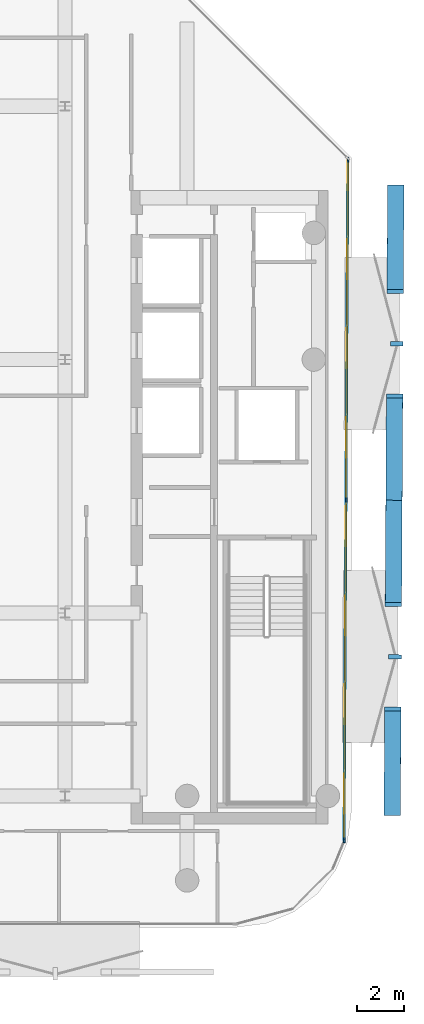
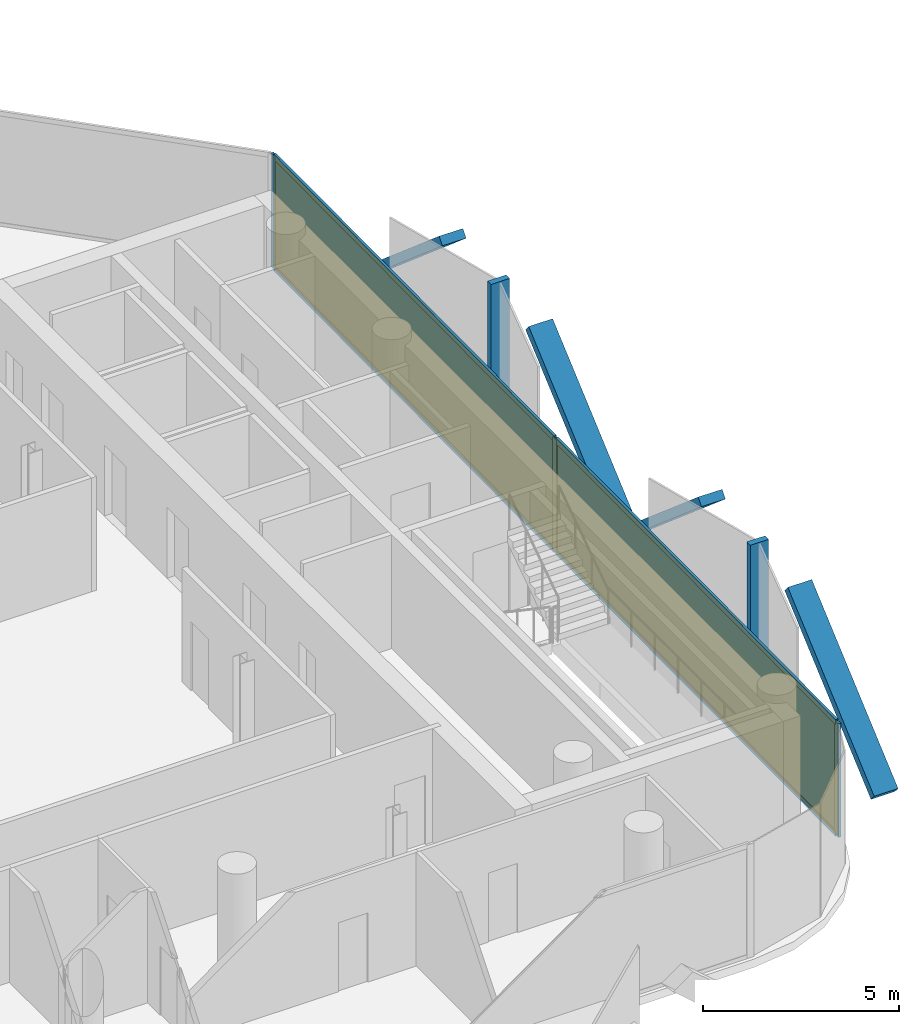
# One storey, part 10 of 16: 13 members, 2 plates, 1 curtain wall.
"""IFC4 building model written with IfcOpenShell, lengths in metres."""

from ifc_helpers import new_model, si_unit, direction, frame, frame_2d, origin, origin_2d, place, context, subcontext, project, spatial, rectangle, extrude, material, layer, layer_set, material_profile, profile_set, type_object, element, aggregate, save


model = new_model("IFC4")

# Units and contexts
model_context = context("Model", 3, precision=1e-05, world=origin(), true_north=direction((0.0, 1.0)))
body_context = subcontext(model_context, "Body", "Model", "MODEL_VIEW")
ifc_project = project(units=[si_unit("LENGTHUNIT", "METRE"), si_unit("AREAUNIT", "SQUARE_METRE"), si_unit("VOLUMEUNIT", "CUBIC_METRE"), si_unit("PLANEANGLEUNIT", "RADIAN"), si_unit("MASSUNIT", "GRAM", prefix="KILO")], contexts=[model_context])

# Member
ifc_material_1 = material(Name="Anodised Bronze Aluminium 6063-T6", Category="aluminium")
ifc_material_profile_1 = material_profile(ifc_material_1, rectangle(XDim=0.260009765625, YDim=0.699951171875, at=origin_2d()))
ifc_profile_set_1 = profile_set([ifc_material_profile_1], Name="Anodised Bronze Aluminium 6063-T6")
member_type_1 = type_object("IfcMemberType", Name="Bronze Diamond Solar-Screen Lattice Rib BDL-700", PredefinedType="MULLION", material=ifc_profile_set_1)
site_placement = place(None, origin())
building_placement = place(site_placement, origin())
storey_placement = place(building_placement, frame((0.0, 0.0, 311.800048828125)))
member_1_placement = place(storey_placement, frame((23.293212890625, 7.3505859375, -0.130126953125), z_axis=(-0.004256073087, -0.76037666529, 0.649468407795), x_axis=(-0.009220107291, -0.649416844223, -0.7603767172)))
member_1 = element("IfcMember", 1, at=member_1_placement, type_object=member_type_1, Name="L75 Bronze Diamond Solar Screen Lattice Rib 532A", PredefinedType="MULLION", context=body_context, shape_type="SweptSolid", body=[
    extrude(rectangle(XDim=0.260009765625, YDim=0.699951171875, at=origin_2d()), origin(), (0.0, 0.0, 1.0), 5.85107421875),
])

member_2_placement = place(storey_placement, frame((23.21826171875, -5.996337890625, -0.130126953125), z_axis=(0.004297798526, 0.760376529593, 0.649468291891), x_axis=(0.009255742703, 0.649416221401, -0.760376816196)))
member_2 = element("IfcMember", 2, at=member_2_placement, type_object=member_type_1, Name="L75 Bronze Diamond Solar Screen Lattice Rib 532B", PredefinedType="MULLION", context=body_context, shape_type="SweptSolid", body=[
    extrude(rectangle(XDim=0.260009765625, YDim=0.699951171875, at=origin_2d()), origin(), (0.0, 0.0, 1.0), 5.85107421875),
])

member_3_placement = place(storey_placement, frame((23.21826171875, -5.996337890625, -0.130126953125), z_axis=(-0.004256073087, -0.76037666529, 0.649468407795), x_axis=(-0.009220107291, -0.649416844223, -0.7603767172)))
member_3 = element("IfcMember", 3, at=member_3_placement, type_object=member_type_1, Name="L75 Bronze Diamond Solar Screen Lattice Rib 533A", PredefinedType="MULLION", context=body_context, shape_type="SweptSolid", body=[
    extrude(rectangle(XDim=0.260009765625, YDim=0.699951171875, at=origin_2d()), origin(), (0.0, 0.0, 1.0), 5.85107421875),
])

member_4_placement = place(storey_placement, frame((23.143310546875, -19.34326171875, -0.130126953125), z_axis=(0.004256073087, 0.76037666529, 0.649468407795), x_axis=(0.009220107291, 0.649416844223, -0.7603767172)))
member_4 = element("IfcMember", 4, at=member_4_placement, type_object=member_type_1, Name="L75 Bronze Diamond Solar Screen Lattice Rib 533B", PredefinedType="MULLION", context=body_context, shape_type="SweptSolid", body=[
    extrude(rectangle(XDim=0.260009765625, YDim=0.699951171875, at=origin_2d()), origin(), (0.0, 0.0, 1.0), 5.85107421875),
])

ifc_material_2 = material(Name="Anodised Bronze Aluminium 6063-T6", Category="aluminium")
ifc_material_profile_2 = material_profile(ifc_material_2, rectangle(XDim=0.179931640625, YDim=0.5400390625, at=origin_2d()))
ifc_profile_set_2 = profile_set([ifc_material_profile_2], Name="Anodised Bronze Aluminium 6063-T6")
member_type_2 = type_object("IfcMemberType", Name="Bronze Solar-Screen Vertical Fold Fin BSF-540", PredefinedType="MULLION", material=ifc_profile_set_2)
member_5_placement = place(storey_placement, frame((23.335693359375, 0.6767578125, -0.130126953125), z_axis=(0.0, 0.0, 1.0), x_axis=(-0.005585024571, -0.999984403629, 0.0)))
member_5 = element("IfcMember", 5, at=member_5_placement, type_object=member_type_2, Name="L75 Bronze Solar Screen Vertical Fin 532", PredefinedType="MULLION", context=body_context, shape_type="SweptSolid", body=[
    extrude(rectangle(XDim=0.179931640625, YDim=0.5400390625, at=origin_2d()), origin(), (0.0, 0.0, 1.0), 3.800048828125),
])

member_6_placement = place(storey_placement, frame((23.2607421875, -12.670166015625, -0.130126953125), z_axis=(0.0, 0.0, 1.0), x_axis=(-0.005585024571, -0.999984403629, 0.0)))
member_6 = element("IfcMember", 6, at=member_6_placement, type_object=member_type_2, Name="L75 Bronze Solar Screen Vertical Fin 533", PredefinedType="MULLION", context=body_context, shape_type="SweptSolid", body=[
    extrude(rectangle(XDim=0.179931640625, YDim=0.5400390625, at=origin_2d()), origin(), (0.0, 0.0, 1.0), 3.800048828125),
])

ifc_material_3 = material(Name="Anodised Bronze Aluminium 6063-T6", Category="aluminium")
ifc_material_profile_3 = material_profile(ifc_material_3, rectangle(XDim=0.074951171875, YDim=0.2099609375, at=origin_2d()))
ifc_profile_set_3 = profile_set([ifc_material_profile_3], Name="Anodised Bronze Aluminium 6063-T6")
member_type_3 = type_object("IfcMemberType", Name="CW-CRN Mullion 75x210", PredefinedType="MULLION", material=ifc_profile_set_3)
member_7_placement = place(storey_placement, frame((21.259765625, 8.5244140625, 0.0), z_axis=(0.0, 0.0, 1.0), x_axis=(0.999984228757, -0.005616247603, 0.0)))
member_7 = element("IfcMember", 7, at=member_7_placement, type_object=member_type_3, Name="CW-CRN mullion 1", PredefinedType="MULLION", context=body_context, shape_type="SweptSolid", body=[
    extrude(rectangle(XDim=0.074951171875, YDim=0.2099609375, at=origin_2d()), origin(), (0.0, 0.0, 1.0), 3.5400390625),
])

member_8_placement = place(storey_placement, frame((21.17822265625, -5.98486328125, 0.0), z_axis=(0.0, 0.0, 1.0), x_axis=(0.999984228757, -0.005616247603, 0.0)))
member_8 = element("IfcMember", 8, at=member_8_placement, type_object=member_type_3, Name="CW-CRN mullion 2", PredefinedType="MULLION", context=body_context, shape_type="SweptSolid", body=[
    extrude(rectangle(XDim=0.074951171875, YDim=0.2099609375, at=origin_2d()), origin(), (0.0, 0.0, 1.0), 3.5400390625),
])

member_9_placement = place(storey_placement, frame((21.096923828125, -20.494140625, 0.0), z_axis=(0.0, 0.0, 1.0), x_axis=(0.999984228757, -0.005616247603, 0.0)))
member_9 = element("IfcMember", 9, at=member_9_placement, type_object=member_type_3, Name="CW-CRN mullion 3", PredefinedType="MULLION", context=body_context, shape_type="SweptSolid", body=[
    extrude(rectangle(XDim=0.074951171875, YDim=0.2099609375, at=origin_2d()), origin(), (0.0, 0.0, 1.0), 3.5400390625),
])

ifc_material_4 = material(Name="Anodised Bronze Aluminium 6063-T6", Category="aluminium")
ifc_material_profile_4 = material_profile(ifc_material_4, rectangle(XDim=0.074951171875, YDim=0.1650390625, at=origin_2d()))
ifc_profile_set_4 = profile_set([ifc_material_profile_4], Name="Anodised Bronze Aluminium 6063-T6")
member_type_4 = type_object("IfcMemberType", Name="CW-CRN Transom 75x165", PredefinedType="USERDEFINED", material=ifc_profile_set_4)
member_10_placement = place(storey_placement, frame((21.259521484375, 8.487060546875, 0.037353515625), z_axis=(-0.005615323405, -0.999984233947, 0.0), x_axis=(0.999984233947, -0.005615323405, 0.0)))
member_10 = element("IfcMember", 10, at=member_10_placement, type_object=member_type_4, Name="CW-CRN transom 1.1", ObjectType="TRANSOM", PredefinedType="USERDEFINED", context=body_context, shape_type="SweptSolid", body=[
    extrude(rectangle(XDim=0.074951171875, YDim=0.1650390625, at=origin_2d()), origin(), (0.0, 0.0, 1.0), 14.4345703125),
])

member_11_placement = place(storey_placement, frame((21.259521484375, 8.487060546875, 3.50244140625), z_axis=(-0.005615323405, -0.999984233947, 0.0), x_axis=(0.999984233947, -0.005615323405, 0.0)))
member_11 = element("IfcMember", 11, at=member_11_placement, type_object=member_type_4, Name="CW-CRN transom 1.2", ObjectType="TRANSOM", PredefinedType="USERDEFINED", context=body_context, shape_type="SweptSolid", body=[
    extrude(rectangle(XDim=0.074951171875, YDim=0.1650390625, at=origin_2d()), origin(), (0.0, 0.0, 1.0), 14.4345703125),
])

member_12_placement = place(storey_placement, frame((21.177978515625, -6.0224609375, 0.037353515625), z_axis=(-0.005615323405, -0.999984233947, 0.0), x_axis=(0.999984233947, -0.005615323405, 0.0)))
member_12 = element("IfcMember", 12, at=member_12_placement, type_object=member_type_4, Name="CW-CRN transom 2.1", ObjectType="TRANSOM", PredefinedType="USERDEFINED", context=body_context, shape_type="SweptSolid", body=[
    extrude(rectangle(XDim=0.074951171875, YDim=0.1650390625, at=origin_2d()), origin(), (0.0, 0.0, 1.0), 14.4345703125),
])

member_13_placement = place(storey_placement, frame((21.177978515625, -6.0224609375, 3.50244140625), z_axis=(-0.005615323405, -0.999984233947, 0.0), x_axis=(0.999984233947, -0.005615323405, 0.0)))
member_13 = element("IfcMember", 13, at=member_13_placement, type_object=member_type_4, Name="CW-CRN transom 2.2", ObjectType="TRANSOM", PredefinedType="USERDEFINED", context=body_context, shape_type="SweptSolid", body=[
    extrude(rectangle(XDim=0.074951171875, YDim=0.1650390625, at=origin_2d()), origin(), (0.0, 0.0, 1.0), 14.4345703125),
])

# Plate
ifc_material_5 = material(Name="Low-E Solar Control Laminated Glass", Category="glass")
ifc_layer_1 = layer(ifc_material_5, 0.035888671875, Name="Low-E Solar Control Laminated Glass")
ifc_layer_set_1 = layer_set([ifc_layer_1], Name="Low-E Solar Control Laminated Glass")
plate_type = type_object("IfcPlateType", Name="CW-CRN Low-E Double Glazed Panel 36mm", PredefinedType="CURTAIN_PANEL", material=ifc_layer_set_1)
plate_1_placement = place(storey_placement, frame((21.218994140625, 1.269775390625, 0.0751953125), z_axis=(0.0, 0.0, 1.0), x_axis=(-0.005616247603, -0.999984228757, 0.0)))
plate_1 = element("IfcPlate", 14, at=plate_1_placement, type_object=plate_type, Name="CW-CRN panel 1.1", PredefinedType="CURTAIN_PANEL", context=body_context, shape_type="SweptSolid", body=[
    extrude(rectangle(XDim=14.4345703125, YDim=0.035888671875, at=origin_2d()), origin(), (0.0, 0.0, 1.0), 3.389892578125),
])

plate_2_placement = place(storey_placement, frame((21.137451171875, -13.239501953125, 0.0751953125), z_axis=(0.0, 0.0, 1.0), x_axis=(-0.005616247603, -0.999984228757, 0.0)))
plate_2 = element("IfcPlate", 15, at=plate_2_placement, type_object=plate_type, Name="CW-CRN panel 2.1", PredefinedType="CURTAIN_PANEL", context=body_context, shape_type="SweptSolid", body=[
    extrude(rectangle(XDim=14.4345703125, YDim=0.035888671875, at=origin_2d()), origin(), (0.0, 0.0, 1.0), 3.389892578125),
])

# Site, building, storey
site = spatial("IfcSite", under=ifc_project, at=site_placement, CompositionType="ELEMENT")
building = spatial("IfcBuilding", under=site, at=building_placement, Name="Khairoan Windgate Tower", CompositionType="ELEMENT")
storey = spatial("IfcBuildingStorey", under=building, at=storey_placement, Name="L75", CompositionType="ELEMENT", Elevation=311.800048828125)

# Curtain wall
ifc_material_6 = material(Name="Anodised Bronze Aluminium 6063-T6", Category="aluminium")
ifc_layer_2 = layer(ifc_material_6, 0.2099609375, Name="Anodised Bronze Aluminium 6063-T6")
ifc_layer_set_2 = layer_set([ifc_layer_2], Name="Anodised Bronze Aluminium 6063-T6")
curtain_wall_type = type_object("IfcCurtainWallType", Name="Crown Observation and Vitrine Curtain Wall CW-CRN", PredefinedType="NOTDEFINED", material=ifc_layer_set_2)
curtain_wall_placement = place(storey_placement, frame((21.260009765625, 8.56201171875, 0.0), z_axis=(0.0, 0.0, 1.0), x_axis=(-0.005613834738, -0.999984242306, 0.0)))
curtain_wall = element("IfcCurtainWall", 16, at=curtain_wall_placement, inside=storey, type_object=curtain_wall_type, Name="L75 Unitised Curtain Wall 9", PredefinedType="NOTDEFINED", context=body_context, shape_type="SweptSolid", body=[
    extrude(rectangle(XDim=29.09423828125, YDim=0.010009765625, at=frame_2d((14.547119140625, 0.0))), origin(), (0.0, 0.0, 1.0), 3.5400390625),
])

aggregate(curtain_wall, [member_7, member_8, member_9, member_10, member_11, plate_1, member_12, member_13, plate_2, member_1, member_2, member_5, member_3, member_4, member_6])

save(model, "model.ifc")
